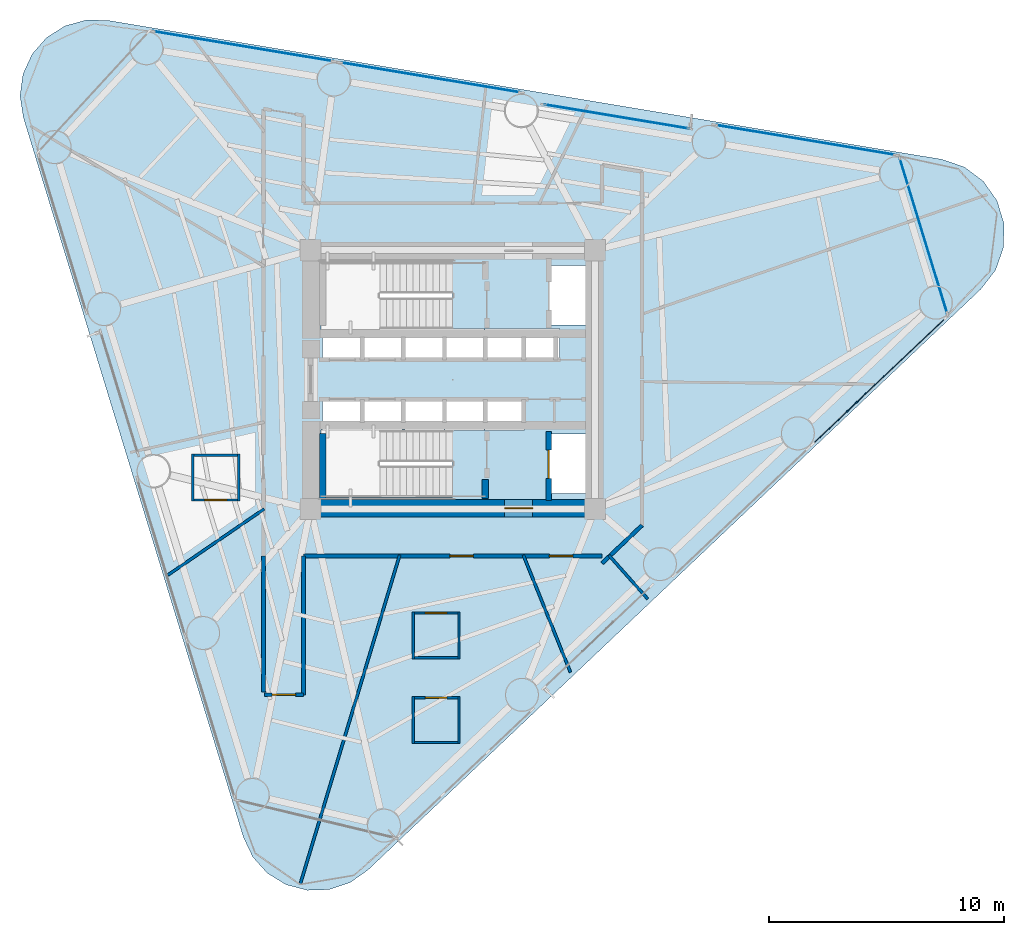
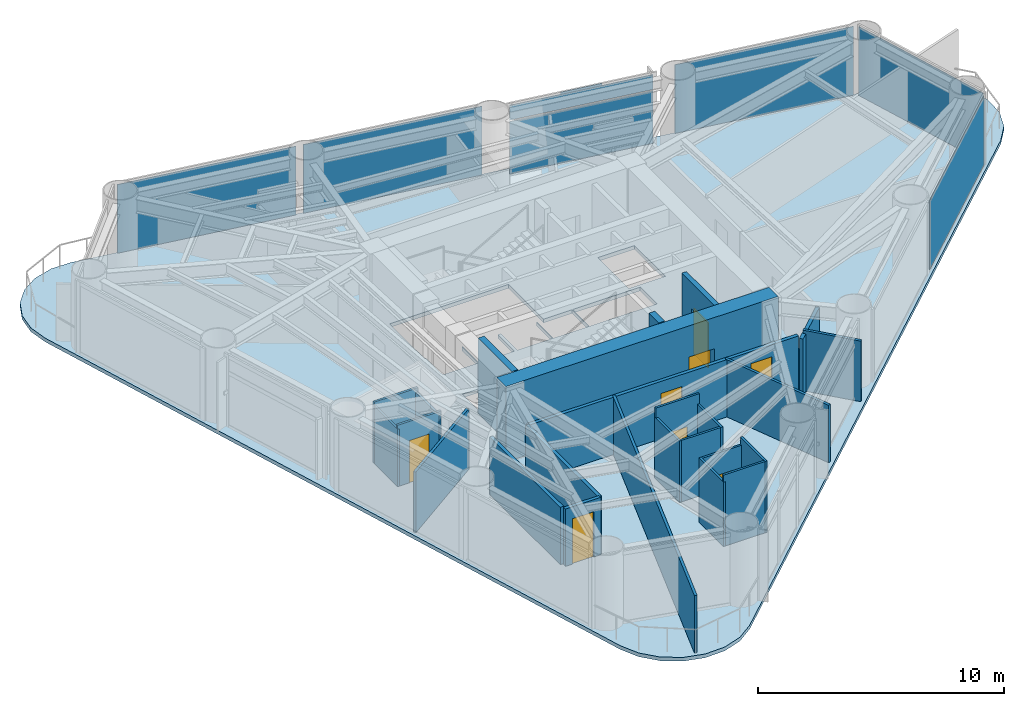
# One storey, part 5 of 10: 25 walls, 8 doors, 8 plates, 1 slab, 8 openings, 6 elements without a shape of their own.
"""IFC4 building model written with IfcOpenShell, lengths in metres."""

from ifc_helpers import new_model, si_unit, direction, frame, frame_2d, origin, origin_2d, place, context, subcontext, project, spatial, polyline, rectangle, outline, extrude, source, transform, mapped, material, layer, layer_set, type_object, element, fill, aggregate, save


model = new_model("IFC4")

# Units and contexts
model_context = context("Model", 3, precision=1e-05, world=origin(), true_north=direction((0.0, 1.0)))
body_context = subcontext(model_context, "Body", "Model", "MODEL_VIEW")
ifc_project = project(units=[si_unit("LENGTHUNIT", "METRE"), si_unit("AREAUNIT", "SQUARE_METRE"), si_unit("VOLUMEUNIT", "CUBIC_METRE"), si_unit("PLANEANGLEUNIT", "RADIAN"), si_unit("MASSUNIT", "GRAM", prefix="KILO")], contexts=[model_context])

# Site, building, storey
site_placement = place(None, origin())
site = spatial("IfcSite", under=ifc_project, at=site_placement, CompositionType="ELEMENT")
building_placement = place(site_placement, origin())
building = spatial("IfcBuilding", under=site, at=building_placement, Name="Yunling Apex Tower", CompositionType="ELEMENT")
storey_placement = place(building_placement, frame((0.0, 0.0, 89.89990234375)))
storey = spatial("IfcBuildingStorey", under=building, at=storey_placement, Name="L22", CompositionType="ELEMENT", Elevation=89.89990234375)

# Slab
ifc_material_1 = material(Name="Concrete C40", Category="concrete")
ifc_layer_1 = layer(ifc_material_1, 0.179931640625)
ifc_layer_set_1 = layer_set([ifc_layer_1], Name="Concrete C40")
slab_type = type_object("IfcSlabType", Name="SL-FLR-1", PredefinedType="FLOOR", material=ifc_layer_set_1)
slab_placement = place(storey_placement, frame((0.0, 0.0, -0.184814453125)))
element("IfcSlab", 1, at=slab_placement, inside=storey, type_object=slab_type, Name="L22 Composite Tower Floor Slab", PredefinedType="FLOOR", context=body_context, shape_type="SweptSolid", body=[
    extrude(outline(polyline([(-8.89990234375, -19.45263671875), (-8.50146484375, -20.294921875), (-7.87841796875, -20.98779296875), (-7.083251953125, -21.473388671875), (-6.182373046875, -21.710693359375), (-5.251220703125, -21.680419921875), (-4.367431640625, -21.384765625), (-3.605712890625, -20.848388671875), (22.4599609375, 3.852294921875), (23.077880859375, 4.65869140625), (23.413818359375, 5.61767578125), (23.434326171875, 6.63330078125), (23.13720703125, 7.60498046875), (22.55224609375, 8.435791015625), (21.737548828125, 9.042724609375), (20.774169921875, 9.36572265625), (-14.6474609375, 15.267822265625), (-15.5791015625, 15.28662109375), (-16.476806640625, 15.03759765625), (-17.265869140625, 14.5419921875), (-17.8798828125, 13.84130859375), (-18.267578125, 12.993896484375), (-18.396728515625, 12.0712890625), (-18.256103515625, 11.150390625), (-8.89990234375, -19.45263671875)]), holes=[polyline([(5.81005859375, -2.320068359375), (5.81005859375, -4.840087890625), (4.090087890625, -4.840087890625), (4.090087890625, -2.320068359375), (5.81005859375, -2.320068359375)]), polyline([(5.81005859375, 4.840087890625), (5.81005859375, 2.320068359375), (4.090087890625, 2.320068359375), (4.090087890625, 4.840087890625), (5.81005859375, 4.840087890625)]), polyline([(1.364990234375, 2.1650390625), (4.534912109375, 2.1650390625), (4.534912109375, 0.794921875), (1.364990234375, 0.794921875), (1.364990234375, 2.1650390625)]), polyline([(3.034912109375, -0.794921875), (3.034912109375, -2.1650390625), (1.364990234375, -2.1650390625), (1.364990234375, -0.794921875), (3.034912109375, -0.794921875)]), polyline([(-5.534912109375, -0.794921875), (-3.864990234375, -0.794921875), (-3.864990234375, -2.139892578125), (-3.8349609375, -2.139892578125), (-3.8349609375, -0.794921875), (-2.1650390625, -0.794921875), (-2.1650390625, -2.139892578125), (-2.034912109375, -2.139892578125), (-2.034912109375, -0.794921875), (-0.364990234375, -0.794921875), (-0.364990234375, -2.139892578125), (-0.3349609375, -2.139892578125), (-0.3349609375, -0.794921875), (1.3349609375, -0.794921875), (1.3349609375, -2.1650390625), (-0.010009765625, -2.1650390625), (-0.010009765625, -5.010009765625), (-5.60009765625, -5.010009765625), (-5.60009765625, -2.139892578125), (-5.534912109375, -2.139892578125), (-5.534912109375, -0.794921875)]), polyline([(-5.60009765625, 2.139892578125), (-5.60009765625, 5.010009765625), (-0.010009765625, 5.010009765625), (-0.010009765625, 2.1650390625), (1.3349609375, 2.1650390625), (1.3349609375, 0.794921875), (-0.3349609375, 0.794921875), (-0.3349609375, 2.139892578125), (-0.364990234375, 2.139892578125), (-0.364990234375, 0.794921875), (-2.034912109375, 0.794921875), (-2.034912109375, 2.139892578125), (-2.1650390625, 2.139892578125), (-2.1650390625, 0.794921875), (-3.8349609375, 0.794921875), (-3.8349609375, 2.139892578125), (-3.864990234375, 2.139892578125), (-3.864990234375, 0.794921875), (-5.534912109375, 0.794921875), (-5.534912109375, 2.139892578125), (-5.60009765625, 2.139892578125)])]), origin(), (0.0, 0.0, 1.0), 0.184814453125),
])

# Plate
ifc_material_2 = material(Name="Bronze anodised aluminium", Category="aluminium")
ifc_layer_2 = layer(ifc_material_2, 0.011962890625)
ifc_layer_set_2 = layer_set([ifc_layer_2], Name="Bronze anodised aluminium")
plate_type_1 = type_object("IfcPlateType", Name="SP-SHT-1", PredefinedType="SHEET", material=ifc_layer_set_2)
shared_shape_1 = source(origin(), body_context, "Body", "SweptSolid", [
    extrude(rectangle(XDim=1.800048828125, YDim=0.02392578125, at=origin_2d()), origin(), (0.0, 0.0, 1.0), 0.43994140625),
])
plate_1_placement = place(storey_placement, frame((6.96923828125, 11.17919921875, 3.1650390625), z_axis=(0.0, 0.0, 1.0), x_axis=(-0.986400586142, 0.164359008451, 0.0)))
element("IfcPlate", 2, at=plate_1_placement, inside=storey, type_object=plate_type_1, Name="SP-GRV-L22-F2", PredefinedType="SHEET", context=body_context, shape_type="MappedRepresentation", body=[
    mapped(shared_shape_1, transform((0.0, 0.0, 0.0), scale=1.0)),
])

# Curtain wall, plates
ifc_layer_3 = layer(ifc_material_2, 0.260009765625)
ifc_layer_set_3 = layer_set([ifc_layer_3], Name="Bronze anodised aluminium")
curtain_wall_type = type_object("IfcCurtainWallType", Name="CW-SYS-2", PredefinedType="NOTDEFINED", material=ifc_layer_set_3)
curtain_wall_1_placement = place(storey_placement, origin())
curtain_wall_1 = element("IfcCurtainWall", 3, at=curtain_wall_1_placement, inside=storey, type_object=curtain_wall_type, Name="CW-L22-F2-B2", PredefinedType="NOTDEFINED")
ifc_material_3 = material(Name="Bronze tinted low-E glass", Category="glass")
ifc_layer_4 = layer(ifc_material_3, 0.033935546875)
ifc_layer_set_4 = layer_set([ifc_layer_4], Name="Bronze tinted low-E glass")
plate_type_2 = type_object("IfcPlateType", Name="CW-PNL-2", PredefinedType="CURTAIN_PANEL", material=ifc_layer_set_4)
shared_shape_2 = source(origin(), body_context, "Body", "SweptSolid", [
    extrude(rectangle(XDim=6.236328125, YDim=0.033935546875, at=origin_2d()), origin(), (0.0, 0.0, 1.0), 2.60400390625),
])
plate_2_placement = place(storey_placement, frame((6.96923828125, 11.17919921875, 0.076904296875), z_axis=(0.0, 0.0, 1.0), x_axis=(-0.986401113409, 0.164355844023, 0.0)))
plate_2 = element("IfcPlate", 4, at=plate_2_placement, type_object=plate_type_2, Name="CW-SYS-2 panel 1.1", PredefinedType="CURTAIN_PANEL", context=body_context, shape_type="MappedRepresentation", body=[
    mapped(shared_shape_2, transform((0.0, 0.0, 0.0), scale=1.0)),
])
shared_shape_3 = source(origin(), body_context, "Body", "SweptSolid", [
    extrude(rectangle(XDim=6.236328125, YDim=0.033935546875, at=origin_2d()), origin(), (0.0, 0.0, 1.0), 0.739013671875),
])
plate_3_placement = place(storey_placement, frame((6.96923828125, 11.17919921875, 2.74951171875), z_axis=(0.0, 0.0, 1.0), x_axis=(-0.986401113409, 0.164355844023, 0.0)))
plate_3 = element("IfcPlate", 5, at=plate_3_placement, type_object=plate_type_2, Name="CW-SYS-2 panel 1.2", PredefinedType="CURTAIN_PANEL", context=body_context, shape_type="MappedRepresentation", body=[
    mapped(shared_shape_3, transform((0.0, 0.0, 0.0), scale=1.0)),
])
aggregate(curtain_wall_1, [plate_2, plate_3])

# Curtain wall, plate
curtain_wall_2_placement = place(storey_placement, origin())
curtain_wall_2 = element("IfcCurtainWall", 6, at=curtain_wall_2_placement, inside=storey, type_object=curtain_wall_type, Name="CW-L22-F1-B4", PredefinedType="NOTDEFINED")
shared_shape_4 = source(origin(), body_context, "Body", "SweptSolid", [
    extrude(rectangle(XDim=7.766357421875, YDim=0.033935546875, at=origin_2d()), origin(), (0.0, 0.0, 1.0), 3.41162109375),
])
plate_4_placement = place(storey_placement, frame((18.1279296875, -0.06005859375, 0.076904296875), z_axis=(0.0, 0.0, 1.0), x_axis=(0.72584218686, 0.687861264918, 0.0)))
plate_4 = element("IfcPlate", 7, at=plate_4_placement, type_object=plate_type_2, Name="CW-SYS-2 panel 1.1", PredefinedType="CURTAIN_PANEL", context=body_context, shape_type="MappedRepresentation", body=[
    mapped(shared_shape_4, transform((0.0, 0.0, 0.0), scale=1.0)),
])
aggregate(curtain_wall_2, [plate_4])

curtain_wall_3_placement = place(storey_placement, origin())
curtain_wall_3 = element("IfcCurtainWall", 8, at=curtain_wall_3_placement, inside=storey, type_object=curtain_wall_type, Name="CW-L22-F2-B1", PredefinedType="NOTDEFINED")
plate_5_placement = place(storey_placement, frame((14.9951171875, 10.186767578125, 0.076904296875), z_axis=(0.0, 0.0, 1.0), x_axis=(-0.98640040698, 0.16436008369, 0.0)))
plate_5 = element("IfcPlate", 9, at=plate_5_placement, type_object=plate_type_2, Name="CW-SYS-2 panel 1.1", PredefinedType="CURTAIN_PANEL", context=body_context, shape_type="MappedRepresentation", body=[
    mapped(shared_shape_4, transform((0.0, 0.0, 0.0), scale=1.0)),
])
aggregate(curtain_wall_3, [plate_5])

curtain_wall_4_placement = place(storey_placement, origin())
curtain_wall_4 = element("IfcCurtainWall", 10, at=curtain_wall_4_placement, inside=storey, type_object=curtain_wall_type, Name="CW-L22-F2-B4", PredefinedType="NOTDEFINED")
plate_6_placement = place(storey_placement, frame((-8.91455078125, 14.170654296875, 0.076904296875), z_axis=(0.0, 0.0, 1.0), x_axis=(-0.98640040698, 0.16436008369, 0.0)))
plate_6 = element("IfcPlate", 11, at=plate_6_placement, type_object=plate_type_2, Name="CW-SYS-2 panel 1.1", PredefinedType="CURTAIN_PANEL", context=body_context, shape_type="MappedRepresentation", body=[
    mapped(shared_shape_4, transform((0.0, 0.0, 0.0), scale=1.0)),
])
aggregate(curtain_wall_4, [plate_6])

curtain_wall_5_placement = place(storey_placement, origin())
curtain_wall_5 = element("IfcCurtainWall", 12, at=curtain_wall_5_placement, inside=storey, type_object=curtain_wall_type, Name="CW-L22-CRN1", PredefinedType="NOTDEFINED")
shared_shape_5 = source(origin(), body_context, "Body", "SweptSolid", [
    extrude(rectangle(XDim=6.925537109375, YDim=0.033935546875, at=origin_2d()), origin(), (0.0, 0.0, 1.0), 3.41162109375),
])
plate_7_placement = place(storey_placement, frame((20.01171875, 6.1181640625, 0.076904296875), z_axis=(0.0, 0.0, 1.0), x_axis=(-0.292375009223, 0.95630374567, 0.0)))
plate_7 = element("IfcPlate", 13, at=plate_7_placement, type_object=plate_type_2, Name="CW-SYS-2 panel 1.1", PredefinedType="CURTAIN_PANEL", context=body_context, shape_type="MappedRepresentation", body=[
    mapped(shared_shape_5, transform((0.0, 0.0, 0.0), scale=1.0)),
])
aggregate(curtain_wall_5, [plate_7])

curtain_wall_6_placement = place(storey_placement, origin())
curtain_wall_6 = element("IfcCurtainWall", 14, at=curtain_wall_6_placement, inside=storey, type_object=curtain_wall_type, Name="CW-L22-F2-B3", PredefinedType="NOTDEFINED")
shared_shape_6 = source(origin(), body_context, "Body", "SweptSolid", [
    extrude(rectangle(XDim=7.76611328125, YDim=0.033935546875, at=origin_2d()), origin(), (0.0, 0.0, 1.0), 3.41162109375),
])
plate_8_placement = place(storey_placement, frame((-0.944580078125, 12.8427734375, 0.076904296875), z_axis=(0.0, 0.0, 1.0), x_axis=(-0.986400065878, 0.164362130784, 0.0)))
plate_8 = element("IfcPlate", 15, at=plate_8_placement, type_object=plate_type_2, Name="CW-SYS-2 panel 1.1", PredefinedType="CURTAIN_PANEL", context=body_context, shape_type="MappedRepresentation", body=[
    mapped(shared_shape_6, transform((0.0, 0.0, 0.0), scale=1.0)),
])
aggregate(curtain_wall_6, [plate_8])

# Wall, opening, door
ifc_material_4 = material(Name="Concrete C60", Category="concrete")
ifc_layer_5 = layer(ifc_material_4, 0.75)
ifc_layer_set_5 = layer_set([ifc_layer_5], Name="Concrete C60")
wall_type_1 = type_object("IfcWallType", Name="WL-COR-1", PredefinedType="SHEAR", material=ifc_layer_set_5)
wall_1_placement = place(storey_placement, frame((-6.39990234375, -5.47509765625, 0.0), z_axis=(0.0, 0.0, 1.0), x_axis=(1.0, 0.0, 0.0)))
wall_1 = element("IfcWall", 16, at=wall_1_placement, inside=storey, type_object=wall_type_1, Name="L22 South Core Shear Wall", PredefinedType="SHEAR", context=body_context, shape_type="SweptSolid", body=[
    extrude(rectangle(XDim=12.7998046875, YDim=0.75, at=frame_2d((6.39990234375, 0.0))), origin(), (0.0, 0.0, 1.0), 3.75),
])
opening_1_placement = place(wall_1_placement, frame((8.60009765625, 0.0, 0.0)))
opening_1 = element("IfcOpeningElement", 17, at=opening_1_placement, cuts=wall_1, Name="Opening DR-FFL-1", PredefinedType="OPENING", context=body_context, shape_type="SweptSolid", body=[
    extrude(rectangle(XDim=1.199951171875, YDim=2.199951171875, at=frame_2d((0.60009765625, 1.10009765625))), frame((0.0, 0.385009765625, 0.0), z_axis=(0.0, -1.0, 0.0), x_axis=(1.0, 0.0, 0.0)), (0.0, 0.0, 1.0), 0.77001953125),
])
ifc_material_5 = material(Name="Steel Q355B", Category="steel")
door_type_1 = type_object("IfcDoorType", Name="DR-FFL-1", OperationType="NOTDEFINED", PredefinedType="DOOR", material=ifc_material_5)
door_1_placement = place(opening_1_placement, origin())
door_1 = element("IfcDoor", 18, at=door_1_placement, inside=storey, type_object=door_type_1, Name="L22 South Firefighting Lobby Door", OperationType="SINGLE_SWING_RIGHT", OverallHeight=2.199951171875, OverallWidth=1.199951171875, PredefinedType="DOOR", context=body_context, shape_type="SweptSolid", body=[
    extrude(rectangle(XDim=1.199951171875, YDim=2.199951171875, at=frame_2d((0.60009765625, 1.10009765625))), frame((0.0, 0.02490234375, 0.0), z_axis=(0.0, -1.0, 0.0), x_axis=(1.0, 0.0, 0.0)), (0.0, 0.0, 1.0), 0.050048828125),
])
fill(opening_1, door_1)

# Walls
ifc_layer_6 = layer(ifc_material_1, 0.280029296875)
ifc_layer_set_6 = layer_set([ifc_layer_6], Name="Concrete C40")
wall_type_2 = type_object("IfcWallType", Name="WL-COR-8", PredefinedType="SHEAR", material=ifc_layer_set_6)
wall_2_placement = place(storey_placement, frame((-5.52001953125, -5.050048828125, 0.0), z_axis=(0.0, 0.0, 1.0), x_axis=(0.0, 1.0, 0.0)))
element("IfcWall", 19, at=wall_2_placement, inside=storey, type_object=wall_type_2, Name="L22 ST-2 West Landing Bearing Wall", PredefinedType="SHEAR", context=body_context, shape_type="SweptSolid", body=[
    extrude(rectangle(XDim=2.75, YDim=0.280029296875, at=frame_2d((1.375, 0.0))), origin(), (0.0, 0.0, 1.0), 3.75),
])
wall_3_placement = place(storey_placement, frame((1.3798828125, -5.050048828125, 0.0), z_axis=(0.0, 0.0, 1.0), x_axis=(0.0, 1.0, 0.0)))
element("IfcWall", 20, at=wall_3_placement, inside=storey, type_object=wall_type_2, Name="L22 ST-2 East Landing Bearing Pier", PredefinedType="SHEAR", context=body_context, shape_type="SweptSolid", body=[
    extrude(rectangle(XDim=0.800048828125, YDim=0.280029296875, at=frame_2d((0.39990234375, 0.0))), origin(), (0.0, 0.0, 1.0), 3.75),
])

# Wall, opening, door
ifc_material_6 = material(Name="Gypsum board acoustic partition")
ifc_layer_7 = layer(ifc_material_6, 0.159912109375)
ifc_layer_set_7 = layer_set([ifc_layer_7], Name="Gypsum board acoustic partition")
wall_type_3 = type_object("IfcWallType", Name="WL-PRT-1", PredefinedType="PARTITIONING", material=ifc_layer_set_7)
wall_4_placement = place(storey_placement, frame((-6.35009765625, -13.39990234375, 0.0), z_axis=(0.0, 0.0, 1.0), x_axis=(-1.0, 0.0, 0.0)))
wall_4 = element("IfcWall", 21, at=wall_4_placement, inside=storey, type_object=wall_type_3, Name="WL-CORR-L22-01", PredefinedType="PARTITIONING", context=body_context, shape_type="SweptSolid", body=[
    extrude(rectangle(XDim=1.660400390625, YDim=0.159912109375, at=frame_2d((0.830078125, 0.0))), origin(), (0.0, 0.0, 1.0), 2.85009765625),
])
opening_2_placement = place(wall_4_placement, frame((0.330322265625, 0.0, 0.0)))
opening_2 = element("IfcOpeningElement", 22, at=opening_2_placement, cuts=wall_4, Name="Opening DR-OFF-1", PredefinedType="OPENING", context=body_context, shape_type="SweptSolid", body=[
    extrude(rectangle(XDim=1.0, YDim=2.25, at=frame_2d((0.5, 1.125))), frame((0.0, 0.08984375, 0.0), z_axis=(0.0, -1.0, 0.0), x_axis=(1.0, 0.0, 0.0)), (0.0, 0.0, 1.0), 0.179931640625),
])
door_type_2 = type_object("IfcDoorType", Name="DR-OFF-1", OperationType="NOTDEFINED", PredefinedType="DOOR", material=ifc_material_2)
door_2_placement = place(opening_2_placement, origin())
door_2 = element("IfcDoor", 23, at=door_2_placement, inside=storey, type_object=door_type_2, Name="L22 Administration Staff Room Door", OperationType="SINGLE_SWING_RIGHT", OverallHeight=2.25, OverallWidth=1.0, PredefinedType="DOOR", context=body_context, shape_type="SweptSolid", body=[
    extrude(rectangle(XDim=1.0, YDim=2.25, at=frame_2d((0.5, 1.125))), frame((0.0, 0.02490234375, 0.0), z_axis=(0.0, -1.0, 0.0), x_axis=(1.0, 0.0, 0.0)), (0.0, 0.0, 1.0), 0.050048828125),
])
fill(opening_2, door_2)

# Walls
wall_5_placement = place(storey_placement, frame((-8.050048828125, -13.27099609375, 0.0), z_axis=(0.0, 0.0, 1.0), x_axis=(0.0, 1.0, 0.0)))
element("IfcWall", 24, at=wall_5_placement, inside=storey, type_object=wall_type_3, Name="WL-CORR-L22-02", PredefinedType="PARTITIONING", context=body_context, shape_type="SweptSolid", body=[
    extrude(rectangle(XDim=5.77099609375, YDim=0.159912109375, at=frame_2d((2.885498046875, 0.0))), origin(), (0.0, 0.0, 1.0), 2.85009765625),
])
wall_6_placement = place(storey_placement, frame((8.050048828125, -6.193603515625, 0.0), z_axis=(0.0, 0.0, 1.0), x_axis=(-0.725875977514, -0.687825606726, 0.0)))
element("IfcWall", 25, at=wall_6_placement, inside=storey, type_object=wall_type_3, Name="WL-CORR-L22-13", PredefinedType="PARTITIONING", context=body_context, shape_type="SweptSolid", body=[
    extrude(rectangle(XDim=2.342041015625, YDim=0.159912109375, at=frame_2d((1.1708984375, 0.0))), origin(), (0.0, 0.0, 1.0), 2.85009765625),
])

# Wall, openings, doors
wall_7_placement = place(storey_placement, frame((6.35009765625, -7.5, 0.0), z_axis=(0.0, 0.0, 1.0), x_axis=(-1.0, 0.0, 0.0)))
wall_7 = element("IfcWall", 26, at=wall_7_placement, inside=storey, type_object=wall_type_3, Name="WL-CORR-L22-15", PredefinedType="PARTITIONING", context=body_context, shape_type="SweptSolid", body=[
    extrude(rectangle(XDim=12.7001953125, YDim=0.159912109375, at=frame_2d((6.35009765625, 0.0))), origin(), (0.0, 0.0, 1.0), 2.85009765625),
])
opening_3_placement = place(wall_7_placement, frame((1.24169921875, 0.0, 0.0)))
opening_3 = element("IfcOpeningElement", 27, at=opening_3_placement, cuts=wall_7, Name="Opening DR-OFF-1", PredefinedType="OPENING", context=body_context, shape_type="SweptSolid", body=[
    extrude(rectangle(XDim=1.0, YDim=2.25, at=frame_2d((0.5, 1.125))), frame((0.0, 0.08984375, 0.0), z_axis=(0.0, -1.0, 0.0), x_axis=(1.0, 0.0, 0.0)), (0.0, 0.0, 1.0), 0.179931640625),
])
opening_4_placement = place(wall_7_placement, frame((5.471923828125, 0.0, 0.0)))
opening_4 = element("IfcOpeningElement", 28, at=opening_4_placement, cuts=wall_7, Name="Opening DR-OFF-1", PredefinedType="OPENING", context=body_context, shape_type="SweptSolid", body=[
    extrude(rectangle(XDim=1.0, YDim=2.25, at=frame_2d((0.5, 1.125))), frame((0.0, 0.08984375, 0.0), z_axis=(0.0, -1.0, 0.0), x_axis=(1.0, 0.0, 0.0)), (0.0, 0.0, 1.0), 0.179931640625),
])
door_3_placement = place(opening_3_placement, origin())
door_3 = element("IfcDoor", 29, at=door_3_placement, inside=storey, type_object=door_type_2, Name="L22 Tea Point Kitchen Door", OperationType="SINGLE_SWING_LEFT", OverallHeight=2.25, OverallWidth=1.0, PredefinedType="DOOR", context=body_context, shape_type="SweptSolid", body=[
    extrude(rectangle(XDim=1.0, YDim=2.25, at=frame_2d((0.5, 1.125))), frame((0.0, 0.02490234375, 0.0), z_axis=(0.0, -1.0, 0.0), x_axis=(1.0, 0.0, 0.0)), (0.0, 0.0, 1.0), 0.050048828125),
])
fill(opening_3, door_3)
door_4_placement = place(opening_4_placement, origin())
door_4 = element("IfcDoor", 30, at=door_4_placement, inside=storey, type_object=door_type_2, Name="L22 Service Foyer Lounge Door", OperationType="SINGLE_SWING_RIGHT", OverallHeight=2.25, OverallWidth=1.0, PredefinedType="DOOR", context=body_context, shape_type="SweptSolid", body=[
    extrude(rectangle(XDim=1.0, YDim=2.25, at=frame_2d((0.5, 1.125))), frame((0.0, 0.02490234375, 0.0), z_axis=(0.0, -1.0, 0.0), x_axis=(1.0, 0.0, 0.0)), (0.0, 0.0, 1.0), 0.050048828125),
])
fill(opening_4, door_4)

# Walls
wall_8_placement = place(storey_placement, frame((-6.35009765625, -7.5, 0.0), z_axis=(0.0, 0.0, 1.0), x_axis=(0.0, -1.0, 0.0)))
element("IfcWall", 31, at=wall_8_placement, inside=storey, type_object=wall_type_3, Name="WL-CORR-L22-16", PredefinedType="PARTITIONING", context=body_context, shape_type="SweptSolid", body=[
    extrude(rectangle(XDim=5.89990234375, YDim=0.159912109375, at=frame_2d((2.949951171875, 0.0))), origin(), (0.0, 0.0, 1.0), 2.85009765625),
])
ifc_layer_8 = layer(ifc_material_6, 0.1201171875)
ifc_layer_set_8 = layer_set([ifc_layer_8], Name="Gypsum board acoustic partition")
wall_type_4 = type_object("IfcWallType", Name="WL-PRT-3", PredefinedType="PARTITIONING", material=ifc_layer_set_8)
wall_9_placement = place(storey_placement, frame((-8.010009765625, -5.495849609375, 0.0), z_axis=(0.0, 0.0, 1.0), x_axis=(-0.824586433319, -0.565735993186, 0.0)))
element("IfcWall", 32, at=wall_9_placement, inside=storey, type_object=wall_type_4, Name="WL-RAD-L22-03", PredefinedType="PARTITIONING", context=body_context, shape_type="SweptSolid", body=[
    extrude(rectangle(XDim=4.98095703125, YDim=0.1201171875, at=frame_2d((2.490478515625, 0.0))), origin(), (0.0, 0.0, 1.0), 3.010009765625),
])
wall_10_placement = place(storey_placement, frame((-2.2548828125, -7.4599609375, 0.0), z_axis=(0.0, 0.0, 1.0), x_axis=(-0.289332531311, -0.957228648926, 0.0)))
element("IfcWall", 33, at=wall_10_placement, inside=storey, type_object=wall_type_4, Name="WL-RAD-L22-04", PredefinedType="PARTITIONING", context=body_context, shape_type="SweptSolid", body=[
    extrude(rectangle(XDim=14.610595703125, YDim=0.1201171875, at=frame_2d((7.30517578125, 0.0))), origin(), (0.0, 0.0, 1.0), 2.85009765625),
])
wall_11_placement = place(storey_placement, frame((3.000244140625, -7.4599609375, 0.0), z_axis=(0.0, 0.0, 1.0), x_axis=(0.37313810105, -0.927775812115, 0.0)))
element("IfcWall", 34, at=wall_11_placement, inside=storey, type_object=wall_type_4, Name="WL-RAD-L22-05", PredefinedType="PARTITIONING", context=body_context, shape_type="SweptSolid", body=[
    extrude(rectangle(XDim=5.369873046875, YDim=0.1201171875, at=frame_2d((2.68505859375, 0.0))), origin(), (0.0, 0.0, 1.0), 2.85009765625),
])
wall_12_placement = place(storey_placement, frame((6.642578125, -7.47216796875, 0.0), z_axis=(0.0, 0.0, 1.0), x_axis=(0.66436383883, -0.747409318684, 0.0)))
element("IfcWall", 35, at=wall_12_placement, inside=storey, type_object=wall_type_4, Name="WL-RAD-L22-06", PredefinedType="PARTITIONING", context=body_context, shape_type="SweptSolid", body=[
    extrude(rectangle(XDim=2.481201171875, YDim=0.1201171875, at=frame_2d((1.24072265625, 0.0))), origin(), (0.0, 0.0, 1.0), 3.010009765625),
])

# Wall, opening, door
ifc_layer_9 = layer(ifc_material_6, 0.10009765625)
ifc_layer_set_9 = layer_set([ifc_layer_9], Name="Gypsum board acoustic partition")
wall_type_5 = type_object("IfcWallType", Name="WL-PRT-4", PredefinedType="PARTITIONING", material=ifc_layer_set_9)
wall_13_placement = place(storey_placement, frame((-1.73291015625, -13.528076171875, 0.0), z_axis=(0.0, 0.0, 1.0), x_axis=(1.0, 0.0, 0.0)))
wall_13 = element("IfcWall", 36, at=wall_13_placement, inside=storey, type_object=wall_type_5, Name="WL-L22-WCMN", PredefinedType="PARTITIONING", context=body_context, shape_type="SweptSolid", body=[
    extrude(rectangle(XDim=2.0498046875, YDim=0.10009765625, at=frame_2d((1.02490234375, 0.0))), origin(), (0.0, 0.0, 1.0), 3.2001953125),
])
opening_5_placement = place(wall_13_placement, frame((0.56494140625, 0.0, 0.0)))
opening_5 = element("IfcOpeningElement", 37, at=opening_5_placement, cuts=wall_13, Name="Opening DR-WC-1", PredefinedType="OPENING", context=body_context, shape_type="SweptSolid", body=[
    extrude(rectangle(XDim=0.919921875, YDim=2.10009765625, at=frame_2d((0.4599609375, 1.050048828125))), frame((0.0, 0.06005859375, 0.0), z_axis=(0.0, -1.0, 0.0), x_axis=(1.0, 0.0, 0.0)), (0.0, 0.0, 1.0), 0.1201171875),
])
ifc_material_7 = material(Name="Timber moisture-resistant leaf", Category="wood")
door_type_3 = type_object("IfcDoorType", Name="DR-WC-1", OperationType="NOTDEFINED", PredefinedType="DOOR", material=ifc_material_7)
door_5_placement = place(opening_5_placement, origin())
door_5 = element("IfcDoor", 38, at=door_5_placement, inside=storey, type_object=door_type_3, Name="L22 Male Toilet Door", OperationType="SINGLE_SWING_LEFT", OverallHeight=2.10009765625, OverallWidth=0.919921875, PredefinedType="DOOR", context=body_context, shape_type="SweptSolid", body=[
    extrude(rectangle(XDim=0.919921875, YDim=2.10009765625, at=frame_2d((0.4599609375, 1.050048828125))), frame((0.0, 0.02490234375, 0.0), z_axis=(0.0, -1.0, 0.0), x_axis=(1.0, 0.0, 0.0)), (0.0, 0.0, 1.0), 0.050048828125),
])
fill(opening_5, door_5)

# Walls
wall_14_placement = place(storey_placement, frame((0.31689453125, -15.427978515625, 0.0), z_axis=(0.0, 0.0, 1.0), x_axis=(-1.0, 0.0, 0.0)))
element("IfcWall", 39, at=wall_14_placement, inside=storey, type_object=wall_type_5, Name="WL-L22-WCMS", PredefinedType="PARTITIONING", context=body_context, shape_type="SweptSolid", body=[
    extrude(rectangle(XDim=2.0498046875, YDim=0.10009765625, at=frame_2d((1.02490234375, 0.0))), origin(), (0.0, 0.0, 1.0), 3.545166015625),
])
wall_15_placement = place(storey_placement, frame((0.26708984375, -13.47802734375, 0.0), z_axis=(0.0, 0.0, 1.0), x_axis=(0.0, -1.0, 0.0)))
element("IfcWall", 40, at=wall_15_placement, inside=storey, type_object=wall_type_5, Name="WL-L22-WCME", PredefinedType="PARTITIONING", context=body_context, shape_type="SweptSolid", body=[
    extrude(rectangle(XDim=2.0, YDim=0.10009765625, at=frame_2d((1.0, 0.0))), origin(), (0.0, 0.0, 1.0), 3.545166015625),
])
wall_16_placement = place(storey_placement, frame((-1.68310546875, -15.47802734375, 0.0), z_axis=(0.0, 0.0, 1.0), x_axis=(0.0, 1.0, 0.0)))
element("IfcWall", 41, at=wall_16_placement, inside=storey, type_object=wall_type_5, Name="WL-L22-WCMW", PredefinedType="PARTITIONING", context=body_context, shape_type="SweptSolid", body=[
    extrude(rectangle(XDim=2.0, YDim=0.10009765625, at=frame_2d((1.0, 0.0))), origin(), (0.0, 0.0, 1.0), 3.2001953125),
])

# Wall, opening, door
wall_17_placement = place(storey_placement, frame((-1.73291015625, -9.923095703125, 0.0), z_axis=(0.0, 0.0, 1.0), x_axis=(1.0, 0.0, 0.0)))
wall_17 = element("IfcWall", 42, at=wall_17_placement, inside=storey, type_object=wall_type_5, Name="WL-L22-WCFN", PredefinedType="PARTITIONING", context=body_context, shape_type="SweptSolid", body=[
    extrude(rectangle(XDim=2.0498046875, YDim=0.10009765625, at=frame_2d((1.02490234375, 0.0))), origin(), (0.0, 0.0, 1.0), 3.545166015625),
])
opening_6_placement = place(wall_17_placement, frame((0.56494140625, 0.0, 0.0)))
opening_6 = element("IfcOpeningElement", 43, at=opening_6_placement, cuts=wall_17, Name="Opening DR-WC-1", PredefinedType="OPENING", context=body_context, shape_type="SweptSolid", body=[
    extrude(rectangle(XDim=0.919921875, YDim=2.10009765625, at=frame_2d((0.4599609375, 1.050048828125))), frame((0.0, 0.06005859375, 0.0), z_axis=(0.0, -1.0, 0.0), x_axis=(1.0, 0.0, 0.0)), (0.0, 0.0, 1.0), 0.1201171875),
])
door_6_placement = place(opening_6_placement, origin())
door_6 = element("IfcDoor", 44, at=door_6_placement, inside=storey, type_object=door_type_3, Name="L22 Female Toilet Door", OperationType="SINGLE_SWING_RIGHT", OverallHeight=2.10009765625, OverallWidth=0.919921875, PredefinedType="DOOR", context=body_context, shape_type="SweptSolid", body=[
    extrude(rectangle(XDim=0.919921875, YDim=2.10009765625, at=frame_2d((0.4599609375, 1.050048828125))), frame((0.0, 0.02490234375, 0.0), z_axis=(0.0, -1.0, 0.0), x_axis=(1.0, 0.0, 0.0)), (0.0, 0.0, 1.0), 0.050048828125),
])
fill(opening_6, door_6)

# Walls
wall_18_placement = place(storey_placement, frame((0.31689453125, -11.822998046875, 0.0), z_axis=(0.0, 0.0, 1.0), x_axis=(-1.0, 0.0, 0.0)))
element("IfcWall", 45, at=wall_18_placement, inside=storey, type_object=wall_type_5, Name="WL-L22-WCFS", PredefinedType="PARTITIONING", context=body_context, shape_type="SweptSolid", body=[
    extrude(rectangle(XDim=2.0498046875, YDim=0.10009765625, at=frame_2d((1.02490234375, 0.0))), origin(), (0.0, 0.0, 1.0), 3.050048828125),
])
for number, where, z_axis, x_axis, name in (
    (46, (0.26708984375, -9.873046875, 0.0), (0.0, 0.0, 1.0), (0.0, -1.0, 0.0), "WL-L22-WCFE"),
    (47, (-1.68310546875, -11.873046875, 0.0), (0.0, 0.0, 1.0), (0.0, 1.0, 0.0), "WL-L22-WCFW"),
):
    element("IfcWall", number, at=place(storey_placement, frame(where, z_axis=z_axis, x_axis=x_axis)), inside=storey, type_object=wall_type_5, Name=name, PredefinedType="PARTITIONING", context=body_context, shape_type="SweptSolid", body=[
        extrude(rectangle(XDim=2.0, YDim=0.10009765625, at=frame_2d((1.0, 0.0))), origin(), (0.0, 0.0, 1.0), 3.050048828125),
    ])
wall_19_placement = place(storey_placement, frame((-11.10302734375, -3.217041015625, 0.0), z_axis=(0.0, 0.0, 1.0), x_axis=(1.0, 0.0, 0.0)))
element("IfcWall", 48, at=wall_19_placement, inside=storey, type_object=wall_type_5, Name="WL-L22-WCFB0N", PredefinedType="PARTITIONING", context=body_context, shape_type="SweptSolid", body=[
    extrude(rectangle(XDim=2.050048828125, YDim=0.10009765625, at=frame_2d((1.02490234375, 0.0))), origin(), (0.0, 0.0, 1.0), 3.050048828125),
])

# Wall, opening, door
wall_20_placement = place(storey_placement, frame((-9.052978515625, -5.116943359375, 0.0), z_axis=(0.0, 0.0, 1.0), x_axis=(-1.0, 0.0, 0.0)))
wall_20 = element("IfcWall", 49, at=wall_20_placement, inside=storey, type_object=wall_type_5, Name="WL-L22-WCFB0S", PredefinedType="PARTITIONING", context=body_context, shape_type="SweptSolid", body=[
    extrude(rectangle(XDim=2.050048828125, YDim=0.10009765625, at=frame_2d((1.02490234375, 0.0))), origin(), (0.0, 0.0, 1.0), 3.050048828125),
])
opening_7_placement = place(wall_20_placement, frame((0.56494140625, 0.0, 0.0)))
opening_7 = element("IfcOpeningElement", 50, at=opening_7_placement, cuts=wall_20, Name="Opening DR-WC-1", PredefinedType="OPENING", context=body_context, shape_type="SweptSolid", body=[
    extrude(rectangle(XDim=0.919921875, YDim=2.10009765625, at=frame_2d((0.4599609375, 1.050048828125))), frame((0.0, 0.06005859375, 0.0), z_axis=(0.0, -1.0, 0.0), x_axis=(1.0, 0.0, 0.0)), (0.0, 0.0, 1.0), 0.1201171875),
])
door_7_placement = place(opening_7_placement, origin())
door_7 = element("IfcDoor", 51, at=door_7_placement, inside=storey, type_object=door_type_3, Name="L22 Accessible WC Door", OperationType="SINGLE_SWING_LEFT", OverallHeight=2.10009765625, OverallWidth=0.919921875, PredefinedType="DOOR", context=body_context, shape_type="SweptSolid", body=[
    extrude(rectangle(XDim=0.919921875, YDim=2.10009765625, at=frame_2d((0.4599609375, 1.050048828125))), frame((0.0, 0.02490234375, 0.0), z_axis=(0.0, -1.0, 0.0), x_axis=(1.0, 0.0, 0.0)), (0.0, 0.0, 1.0), 0.050048828125),
])
fill(opening_7, door_7)

# Walls
for number, where, z_axis, x_axis, name in (
    (52, (-9.10302734375, -3.1669921875, 0.0), (0.0, 0.0, 1.0), (0.0, -1.0, 0.0), "WL-L22-WCFB0E"),
    (53, (-11.052978515625, -5.1669921875, 0.0), (0.0, 0.0, 1.0), (0.0, 1.0, 0.0), "WL-L22-WCFB0W"),
):
    element("IfcWall", number, at=place(storey_placement, frame(where, z_axis=z_axis, x_axis=x_axis)), inside=storey, type_object=wall_type_5, Name=name, PredefinedType="PARTITIONING", context=body_context, shape_type="SweptSolid", body=[
        extrude(rectangle(XDim=2.0, YDim=0.10009765625, at=frame_2d((1.0, 0.0))), origin(), (0.0, 0.0, 1.0), 2.85009765625),
    ])

# Wall, opening, door
ifc_material_8 = material(Name="Autoclaved aerated concrete masonry", Category="masonry")
ifc_layer_10 = layer(ifc_material_8, 0.219970703125)
ifc_layer_set_10 = layer_set([ifc_layer_10], Name="Autoclaved aerated concrete masonry")
wall_type_6 = type_object("IfcWallType", Name="WL-SHF-1", PredefinedType="PLUMBINGWALL", material=ifc_layer_set_10)
wall_21_placement = place(storey_placement, frame((4.080078125, -5.14990234375, 0.0), z_axis=(0.0, 0.0, 1.0), x_axis=(0.0, 1.0, 0.0)))
wall_21 = element("IfcWall", 54, at=wall_21_placement, inside=storey, type_object=wall_type_6, Name="WL-FFL2-W-L22", PredefinedType="PLUMBINGWALL", context=body_context, shape_type="SweptSolid", body=[
    extrude(rectangle(XDim=2.949951171875, YDim=0.219970703125, at=frame_2d((1.47509765625, 0.0))), origin(), (0.0, 0.0, 1.0), 3.545166015625),
])
opening_8_placement = place(wall_21_placement, frame((0.949951171875, 0.0, 0.0)))
opening_8 = element("IfcOpeningElement", 55, at=opening_8_placement, cuts=wall_21, Name="Opening LD-FFL-1", PredefinedType="OPENING", context=body_context, shape_type="SweptSolid", body=[
    extrude(rectangle(XDim=1.199951171875, YDim=2.25, at=frame_2d((0.60009765625, 1.125))), frame((0.0, 0.1201171875, 0.0), z_axis=(0.0, -1.0, 0.0), x_axis=(1.0, 0.0, 0.0)), (0.0, 0.0, 1.0), 0.239990234375),
])
door_type_4 = type_object("IfcDoorType", Name="LD-FFL-1", OperationType="DOUBLE_DOOR_SLIDING", PredefinedType="DOOR", material=ifc_material_5)
door_8_placement = place(opening_8_placement, origin())
door_8 = element("IfcDoor", 56, at=door_8_placement, inside=storey, type_object=door_type_4, Name="L22 Lift FFL-2 Landing Door", OperationType="DOUBLE_DOOR_SLIDING", OverallHeight=2.25, OverallWidth=1.199951171875, PredefinedType="DOOR", context=body_context, shape_type="SweptSolid", body=[
    extrude(rectangle(XDim=1.199951171875, YDim=2.25, at=frame_2d((0.60009765625, 1.125))), frame((0.0, 0.02490234375, 0.0), z_axis=(0.0, -1.0, 0.0), x_axis=(1.0, 0.0, 0.0)), (0.0, 0.0, 1.0), 0.050048828125),
])
fill(opening_8, door_8)

save(model, "model.ifc")
